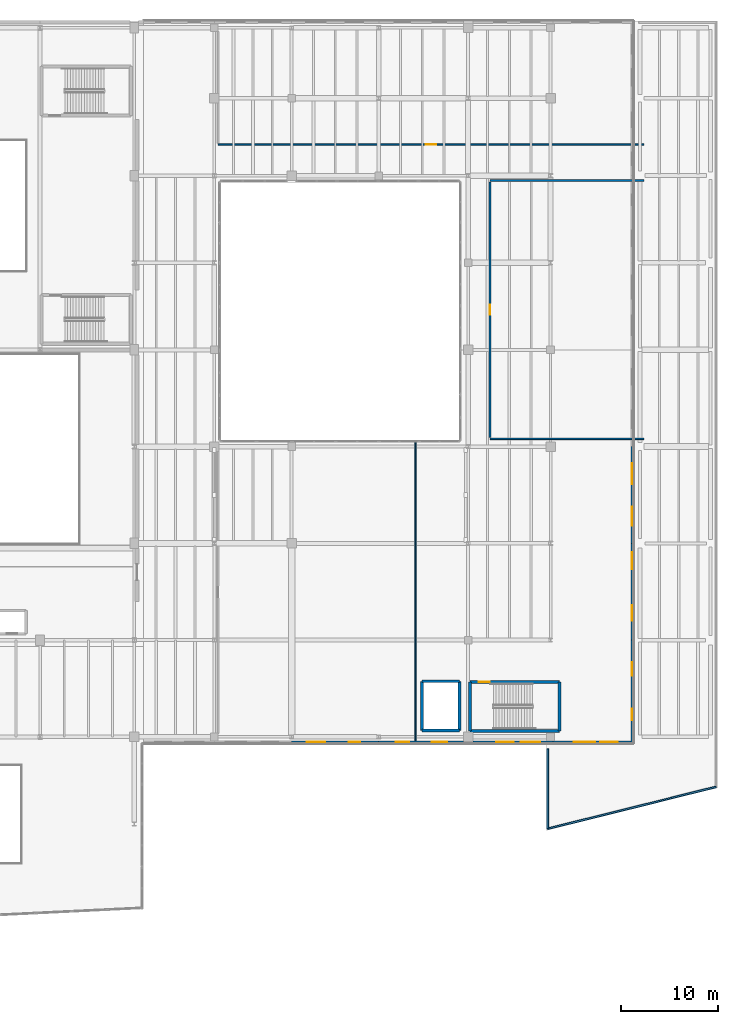
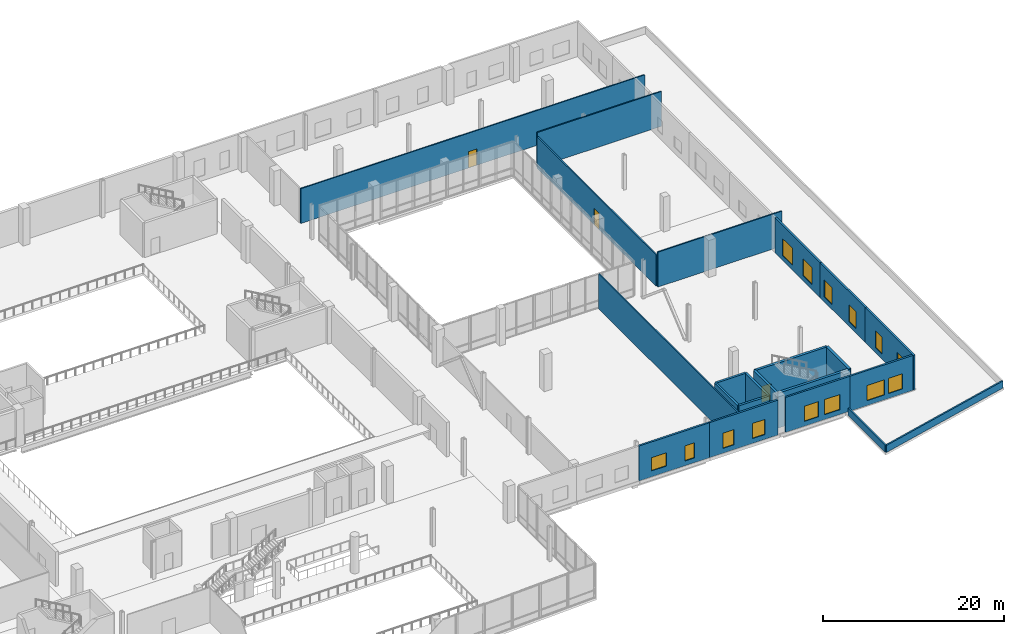
# One storey, part 59 of 73: 22 walls, 14 windows, 3 doors, 17 openings.
"""IFC4 building model written with IfcOpenShell, lengths in metres."""

from ifc_helpers import new_model, si_unit, direction, frame, frame_2d, origin, place, context, subcontext, project, spatial, rectangle, extrude, material, layer, layer_set, type_object, element, fill, save


model = new_model("IFC4")

# Units and contexts
model_context = context("Model", 3, precision=1e-05, world=origin(), true_north=direction((0.0, 1.0)))
body_context = subcontext(model_context, "Body", "Model", "MODEL_VIEW")
ifc_project = project(units=[si_unit("LENGTHUNIT", "METRE"), si_unit("AREAUNIT", "SQUARE_METRE"), si_unit("VOLUMEUNIT", "CUBIC_METRE"), si_unit("PLANEANGLEUNIT", "RADIAN"), si_unit("MASSUNIT", "GRAM", prefix="KILO")], contexts=[model_context])

# Site, building, storey
site_placement = place(None, origin())
site = spatial("IfcSite", under=ifc_project, at=site_placement, CompositionType="ELEMENT")
building_placement = place(site_placement, origin())
building = spatial("IfcBuilding", under=site, at=building_placement, Name="Trimount Lyric Opera House", CompositionType="ELEMENT")
storey_placement = place(building_placement, frame((0.0, 0.0, 10.0)))
storey = spatial("IfcBuildingStorey", under=building, at=storey_placement, Name="L02", CompositionType="ELEMENT", Elevation=10.0)

# Walls
ifc_material_1 = material(Name="Precast concrete C40/50", Category="concrete")
ifc_layer_1 = layer(ifc_material_1, 0.18994140625)
ifc_layer_set_1 = layer_set([ifc_layer_1], Name="WL-PA190")
wall_type_1 = type_object("IfcWallType", Name="WL-PA190", PredefinedType="PARAPET", material=ifc_layer_set_1)
wall_1_placement = place(storey_placement, frame((173.860107421875, 38.829345703125, 0.0), z_axis=(0.0, 0.0, 1.0), x_axis=(-0.970400645531, -0.241500698037, 0.0)))
element("IfcWall", 1, at=wall_1_placement, inside=storey, type_object=wall_type_1, Name="L02 roof parapet 007", PredefinedType="PARAPET", context=body_context, shape_type="SweptSolid", body=[
    extrude(rectangle(XDim=17.930908203125, YDim=0.18994140625, at=frame_2d((8.96533203125, 0.0))), origin(), (0.0, 0.0, 1.0), 0.949951171875),
])
wall_2_placement = place(storey_placement, frame((156.4599609375, 34.4990234375, 0.0), z_axis=(0.0, 0.0, 1.0), x_axis=(0.0, 1.0, 0.0)))
element("IfcWall", 2, at=wall_2_placement, inside=storey, type_object=wall_type_1, Name="L02 roof parapet 008", PredefinedType="PARAPET", context=body_context, shape_type="SweptSolid", body=[
    extrude(rectangle(XDim=8.27099609375, YDim=0.18994140625, at=frame_2d((4.135498046875, 0.0))), origin(), (0.0, 0.0, 1.0), 0.949951171875),
])
ifc_material_2 = material(Name="Fire-Rated Gypsum Board Partition")
ifc_layer_2 = layer(ifc_material_2, 0.14990234375)
ifc_layer_set_2 = layer_set([ifc_layer_2], Name="WL-PT150")
wall_type_2 = type_object("IfcWallType", Name="WL-PT150", PredefinedType="PARTITIONING", material=ifc_layer_set_2)
wall_3_placement = place(storey_placement, frame((142.800048828125, 43.60009765625, 0.0), z_axis=(0.0, 0.0, 1.0), x_axis=(0.0, 1.0, 0.0)))
element("IfcWall", 3, at=wall_3_placement, inside=storey, type_object=wall_type_2, Name="L02 Costume Cutting & Draping Atelier E partition", PredefinedType="PARTITIONING", context=body_context, shape_type="SweptSolid", body=[
    extrude(rectangle(XDim=30.7998046875, YDim=0.14990234375, at=frame_2d((15.39990234375, 0.0))), origin(), (0.0, 0.0, 1.0), 4.719970703125),
])

# Wall, opening, door
wall_4_placement = place(storey_placement, frame((122.39990234375, 105.199951171875, 0.0), z_axis=(0.0, 0.0, 1.0), x_axis=(1.0, 0.0, 0.0)))
wall_4 = element("IfcWall", 4, at=wall_4_placement, inside=storey, type_object=wall_type_2, Name="L02 Wig, Make-Up & Millinery Studio S partition", PredefinedType="PARTITIONING", context=body_context, shape_type="SweptSolid", body=[
    extrude(rectangle(XDim=44.0, YDim=0.14990234375, at=frame_2d((22.0, 0.0))), origin(), (0.0, 0.0, 1.0), 4.7099609375),
])
opening_1_placement = place(wall_4_placement, frame((21.47509765625, 0.0, 0.0)))
opening_1 = element("IfcOpeningElement", 5, at=opening_1_placement, cuts=wall_4, Name="Opening DT-RM3", PredefinedType="OPENING", context=body_context, shape_type="SweptSolid", body=[
    extrude(rectangle(XDim=1.050048828125, YDim=2.199951171875, at=frame_2d((0.52490234375, 1.10009765625))), frame((0.0, 0.0849609375, 0.0), z_axis=(0.0, -1.0, 0.0), x_axis=(1.0, 0.0, 0.0)), (0.0, 0.0, 1.0), 0.169921875),
])
ifc_material_3 = material(Name="Solid Core White Oak")
door_type_1 = type_object("IfcDoorType", Name="DT-RM3", OperationType="NOTDEFINED", PredefinedType="DOOR", material=ifc_material_3)
door_1_placement = place(opening_1_placement, origin())
door_1 = element("IfcDoor", 6, at=door_1_placement, inside=storey, type_object=door_type_1, Name="D-219", OperationType="SINGLE_SWING_LEFT", OverallHeight=2.199951171875, OverallWidth=1.050048828125, PredefinedType="DOOR", context=body_context, shape_type="SweptSolid", body=[
    extrude(rectangle(XDim=1.050048828125, YDim=2.199951171875, at=frame_2d((0.52490234375, 1.10009765625))), frame((0.0, 0.02490234375, 0.0), z_axis=(0.0, -1.0, 0.0), x_axis=(1.0, 0.0, 0.0)), (0.0, 0.0, 1.0), 0.050048828125),
])
fill(opening_1, door_1)

# Walls
ifc_material_4 = material(Name="Acoustic Double-Stud Gypsum Board")
ifc_layer_3 = layer(ifc_material_4, 0.1650390625)
ifc_layer_set_3 = layer_set([ifc_layer_3], Name="WL-PT165")
wall_type_3 = type_object("IfcWallType", Name="WL-PT165", PredefinedType="PARTITIONING", material=ifc_layer_set_3)
wall_5_placement = place(storey_placement, frame((150.5, 74.800048828125, 0.0), z_axis=(0.0, 0.0, 1.0), x_axis=(1.0, 0.0, 0.0)))
element("IfcWall", 7, at=wall_5_placement, inside=storey, type_object=wall_type_3, Name="L02 Textile Dye & Millinery Vat Studio S partition", PredefinedType="PARTITIONING", context=body_context, shape_type="SweptSolid", body=[
    extrude(rectangle(XDim=15.89990234375, YDim=0.1650390625, at=frame_2d((7.949951171875, 0.0))), origin(), (0.0, 0.0, 1.0), 4.719970703125),
])
wall_6_placement = place(storey_placement, frame((166.39990234375, 101.5, 0.0), z_axis=(0.0, 0.0, 1.0), x_axis=(-1.0, 0.0, 0.0)))
element("IfcWall", 8, at=wall_6_placement, inside=storey, type_object=wall_type_3, Name="L02 Textile Dye & Millinery Vat Studio N partition", PredefinedType="PARTITIONING", context=body_context, shape_type="SweptSolid", body=[
    extrude(rectangle(XDim=15.89990234375, YDim=0.1650390625, at=frame_2d((7.949951171875, 0.0))), origin(), (0.0, 0.0, 1.0), 4.7099609375),
])

# Wall, opening, door
wall_7_placement = place(storey_placement, frame((150.5, 101.3349609375, 0.0), z_axis=(0.0, 0.0, 1.0), x_axis=(0.0, -1.0, 0.0)))
wall_7 = element("IfcWall", 9, at=wall_7_placement, inside=storey, type_object=wall_type_3, Name="L02 Textile Dye & Millinery Vat Studio W partition", PredefinedType="PARTITIONING", context=body_context, shape_type="SweptSolid", body=[
    extrude(rectangle(XDim=26.369873046875, YDim=0.1650390625, at=frame_2d((13.18505859375, 0.0))), origin(), (0.0, 0.0, 1.0), 4.242919921875),
])
opening_2_placement = place(wall_7_placement, frame((12.659912109375, 0.0, 0.0)))
opening_2 = element("IfcOpeningElement", 10, at=opening_2_placement, cuts=wall_7, Name="Opening DT-RM3", PredefinedType="OPENING", context=body_context, shape_type="SweptSolid", body=[
    extrude(rectangle(XDim=1.050048828125, YDim=2.199951171875, at=frame_2d((0.52490234375, 1.10009765625))), frame((0.0, 0.092529296875, 0.0), z_axis=(0.0, -1.0, 0.0), x_axis=(1.0, 0.0, 0.0)), (0.0, 0.0, 1.0), 0.18505859375),
])
door_2_placement = place(opening_2_placement, origin())
door_2 = element("IfcDoor", 11, at=door_2_placement, inside=storey, type_object=door_type_1, Name="D-217", OperationType="SINGLE_SWING_LEFT", OverallHeight=2.199951171875, OverallWidth=1.050048828125, PredefinedType="DOOR", context=body_context, shape_type="SweptSolid", body=[
    extrude(rectangle(XDim=1.050048828125, YDim=2.199951171875, at=frame_2d((0.52490234375, 1.10009765625))), frame((0.0, 0.02490234375, 0.0), z_axis=(0.0, -1.0, 0.0), x_axis=(1.0, 0.0, 0.0)), (0.0, 0.0, 1.0), 0.050048828125),
])
fill(opening_2, door_2)

# Walls
ifc_material_5 = material(Name="Concrete C40/50", Category="concrete")
ifc_layer_4 = layer(ifc_material_5, 0.280029296875)
ifc_layer_set_4 = layer_set([ifc_layer_4], Name="WL-SH280")
wall_type_4 = type_object("IfcWallType", Name="WL-SH280", PredefinedType="SHEAR", material=ifc_layer_set_4)
for number, where, z_axis, x_axis, name in (
    (12, (143.4599609375, 44.659912109375, 0.0), (0.0, 0.0, 1.0), (1.0, 0.0, 0.0), "Lift LF-07 L02 south shaft wall"),
    (13, (147.340087890625, 49.739990234375, 0.0), (0.0, 0.0, 1.0), (-1.0, 0.0, 0.0), "Lift LF-07 L02 north shaft wall"),
):
    element("IfcWall", number, at=place(storey_placement, frame(where, z_axis=z_axis, x_axis=x_axis)), inside=storey, type_object=wall_type_4, Name=name, PredefinedType="SHEAR", context=body_context, shape_type="SweptSolid", body=[
        extrude(rectangle(XDim=3.880126953125, YDim=0.280029296875, at=frame_2d((1.93994140625, 0.0))), origin(), (0.0, 0.0, 1.0), 4.719970703125),
    ])
for number, where, z_axis, x_axis, name in (
    (14, (143.4599609375, 49.739990234375, 0.0), (0.0, 0.0, 1.0), (0.0, -1.0, 0.0), "Lift LF-07 L02 west shaft wall"),
    (15, (147.340087890625, 44.659912109375, 0.0), (0.0, 0.0, 1.0), (0.0, 1.0, 0.0), "Lift LF-07 L02 east shaft wall"),
):
    element("IfcWall", number, at=place(storey_placement, frame(where, z_axis=z_axis, x_axis=x_axis)), inside=storey, type_object=wall_type_4, Name=name, PredefinedType="SHEAR", context=body_context, shape_type="SweptSolid", body=[
        extrude(rectangle(XDim=5.080078125, YDim=0.280029296875, at=frame_2d((2.5400390625, 0.0))), origin(), (0.0, 0.0, 1.0), 4.719970703125),
    ])
ifc_material_6 = material(Name="Concrete C40/50", Category="concrete")
ifc_layer_5 = layer(ifc_material_6, 0.320068359375)
ifc_layer_set_5 = layer_set([ifc_layer_5], Name="WL-SH320")
wall_type_5 = type_object("IfcWallType", Name="WL-SH320", PredefinedType="SHEAR", material=ifc_layer_set_5)
wall_8_placement = place(storey_placement, frame((148.425048828125, 44.625, 0.0), z_axis=(0.0, 0.0, 1.0), x_axis=(1.0, 0.0, 0.0)))
element("IfcWall", 16, at=wall_8_placement, inside=storey, type_object=wall_type_5, Name="K5 L02 south shaft wall", PredefinedType="SHEAR", context=body_context, shape_type="SweptSolid", body=[
    extrude(rectangle(XDim=9.25, YDim=0.320068359375, at=frame_2d((4.625, 0.0))), origin(), (0.0, 0.0, 1.0), 4.719970703125),
])

# Wall, opening, door
wall_9_placement = place(storey_placement, frame((157.675048828125, 49.675048828125, 0.0), z_axis=(0.0, 0.0, 1.0), x_axis=(-1.0, 0.0, 0.0)))
wall_9 = element("IfcWall", 17, at=wall_9_placement, inside=storey, type_object=wall_type_5, Name="K5 L02 north shaft wall", PredefinedType="SHEAR", context=body_context, shape_type="SweptSolid", body=[
    extrude(rectangle(XDim=9.25, YDim=0.320068359375, at=frame_2d((4.625, 0.0))), origin(), (0.0, 0.0, 1.0), 4.719970703125),
])
opening_3_placement = place(wall_9_placement, frame((7.199951171875, 0.0, 0.0)))
opening_3 = element("IfcOpeningElement", 18, at=opening_3_placement, cuts=wall_9, Name="Opening DT-ST1", PredefinedType="OPENING", context=body_context, shape_type="SweptSolid", body=[
    extrude(rectangle(XDim=1.14990234375, YDim=2.199951171875, at=frame_2d((0.574951171875, 1.10009765625))), frame((0.0, 0.169921875, 0.0), z_axis=(0.0, -1.0, 0.0), x_axis=(1.0, 0.0, 0.0)), (0.0, 0.0, 1.0), 0.340087890625),
])
ifc_material_7 = material(Name="Fire-Rated Hollow Steel", Category="steel")
door_type_2 = type_object("IfcDoorType", Name="DT-ST1", OperationType="NOTDEFINED", PredefinedType="DOOR", material=ifc_material_7)
door_3_placement = place(opening_3_placement, origin())
door_3 = element("IfcDoor", 19, at=door_3_placement, inside=storey, type_object=door_type_2, Name="D-042", OperationType="SINGLE_SWING_RIGHT", OverallHeight=2.199951171875, OverallWidth=1.14990234375, PredefinedType="DOOR", context=body_context, shape_type="SweptSolid", body=[
    extrude(rectangle(XDim=1.14990234375, YDim=2.199951171875, at=frame_2d((0.574951171875, 1.10009765625))), frame((0.0, 0.02490234375, 0.0), z_axis=(0.0, -1.0, 0.0), x_axis=(1.0, 0.0, 0.0)), (0.0, 0.0, 1.0), 0.050048828125),
])
fill(opening_3, door_3)

# Walls
for number, where, z_axis, x_axis, name in (
    (20, (148.425048828125, 49.675048828125, 0.0), (0.0, 0.0, 1.0), (0.0, -1.0, 0.0), "K5 L02 west shaft wall"),
    (21, (157.675048828125, 44.625, 0.0), (0.0, 0.0, 1.0), (0.0, 1.0, 0.0), "K5 L02 east shaft wall"),
):
    element("IfcWall", number, at=place(storey_placement, frame(where, z_axis=z_axis, x_axis=x_axis)), inside=storey, type_object=wall_type_5, Name=name, PredefinedType="SHEAR", context=body_context, shape_type="SweptSolid", body=[
        extrude(rectangle(XDim=5.050048828125, YDim=0.320068359375, at=frame_2d((2.52490234375, 0.0))), origin(), (0.0, 0.0, 1.0), 4.719970703125),
    ])

# Wall, openings, windows
ifc_material_8 = material(Name="Concrete C35/45", Category="concrete")
ifc_layer_6 = layer(ifc_material_8, 0.239990234375)
ifc_layer_set_6 = layer_set([ifc_layer_6], Name="WL-SW240")
wall_type_6 = type_object("IfcWallType", Name="WL-SW240", PredefinedType="SOLIDWALL", material=ifc_layer_set_6)
wall_10_placement = place(storey_placement, frame((165.179931640625, 74.0, 0.0), z_axis=(0.0, 0.0, 1.0), x_axis=(0.0, -1.0, 0.0)))
wall_10 = element("IfcWall", 22, at=wall_10_placement, inside=storey, type_object=wall_type_6, Name="L02 exterior facade wall 227", PredefinedType="SOLIDWALL", context=body_context, shape_type="SweptSolid", body=[
    extrude(rectangle(XDim=10.0, YDim=0.239990234375, at=frame_2d((5.0, 0.0))), origin(), (0.0, 0.0, 1.0), 4.719970703125),
])
opening_4_placement = place(wall_10_placement, frame((1.699951171875, 0.0, 0.64990234375)))
opening_4 = element("IfcOpeningElement", 23, at=opening_4_placement, cuts=wall_10, Name="Opening WT-02", PredefinedType="OPENING", context=body_context, shape_type="SweptSolid", body=[
    extrude(rectangle(XDim=2.199951171875, YDim=2.300048828125, at=frame_2d((1.10009765625, 1.14990234375))), frame((0.0, 0.1298828125, 0.0), z_axis=(0.0, -1.0, 0.0), x_axis=(1.0, 0.0, 0.0)), (0.0, 0.0, 1.0), 0.260009765625),
])
opening_5_placement = place(wall_10_placement, frame((6.199951171875, 0.0, 0.64990234375)))
opening_5 = element("IfcOpeningElement", 24, at=opening_5_placement, cuts=wall_10, Name="Opening WT-03", PredefinedType="OPENING", context=body_context, shape_type="SweptSolid", body=[
    extrude(rectangle(XDim=2.0, YDim=2.300048828125, at=frame_2d((1.0, 1.14990234375))), frame((0.0, 0.1298828125, 0.0), z_axis=(0.0, -1.0, 0.0), x_axis=(1.0, 0.0, 0.0)), (0.0, 0.0, 1.0), 0.260009765625),
])
ifc_material_9 = material(Name="Triple Acoustic Glazing in Aluminium Frame", Category="aluminium")
window_type_1 = type_object("IfcWindowType", Name="WT-02", PartitioningType="DOUBLE_PANEL_VERTICAL", PredefinedType="WINDOW", material=ifc_material_9)
window_1_placement = place(opening_4_placement, origin())
window_1 = element("IfcWindow", 25, at=window_1_placement, inside=storey, type_object=window_type_1, Name="Window WT-02-0184", OverallHeight=2.300048828125, OverallWidth=2.199951171875, PartitioningType="SINGLE_PANEL", PredefinedType="WINDOW", context=body_context, shape_type="SweptSolid", body=[
    extrude(rectangle(XDim=2.199951171875, YDim=2.300048828125, at=frame_2d((1.10009765625, 1.14990234375))), frame((0.0, 0.030029296875, 0.0), z_axis=(0.0, -1.0, 0.0), x_axis=(1.0, 0.0, 0.0)), (0.0, 0.0, 1.0), 0.06005859375),
])
fill(opening_4, window_1)
ifc_material_10 = material(Name="Triple Acoustic Glazing in Aluminium Frame", Category="aluminium")
window_type_2 = type_object("IfcWindowType", Name="WT-03", PartitioningType="DOUBLE_PANEL_VERTICAL", PredefinedType="WINDOW", material=ifc_material_10)
window_2_placement = place(opening_5_placement, origin())
window_2 = element("IfcWindow", 26, at=window_2_placement, inside=storey, type_object=window_type_2, Name="Window WT-03-0185", OverallHeight=2.300048828125, OverallWidth=2.0, PartitioningType="SINGLE_PANEL", PredefinedType="WINDOW", context=body_context, shape_type="SweptSolid", body=[
    extrude(rectangle(XDim=2.0, YDim=2.300048828125, at=frame_2d((1.0, 1.14990234375))), frame((0.0, 0.030029296875, 0.0), z_axis=(0.0, -1.0, 0.0), x_axis=(1.0, 0.0, 0.0)), (0.0, 0.0, 1.0), 0.06005859375),
])
fill(opening_5, window_2)

wall_11_placement = place(storey_placement, frame((165.179931640625, 64.0, 0.0), z_axis=(0.0, 0.0, 1.0), x_axis=(0.0, -1.0, 0.0)))
wall_11 = element("IfcWall", 27, at=wall_11_placement, inside=storey, type_object=wall_type_6, Name="L02 exterior facade wall 228", PredefinedType="SOLIDWALL", context=body_context, shape_type="SweptSolid", body=[
    extrude(rectangle(XDim=10.0, YDim=0.239990234375, at=frame_2d((5.0, 0.0))), origin(), (0.0, 0.0, 1.0), 4.719970703125),
])
opening_6_placement = place(wall_11_placement, frame((0.89990234375, 0.0, 0.64990234375)))
opening_6 = element("IfcOpeningElement", 28, at=opening_6_placement, cuts=wall_11, Name="Opening WT-04", PredefinedType="OPENING", context=body_context, shape_type="SweptSolid", body=[
    extrude(rectangle(XDim=1.800048828125, YDim=2.300048828125, at=frame_2d((0.89990234375, 1.14990234375))), frame((0.0, 0.1298828125, 0.0), z_axis=(0.0, -1.0, 0.0), x_axis=(1.0, 0.0, 0.0)), (0.0, 0.0, 1.0), 0.260009765625),
])
opening_7_placement = place(wall_11_placement, frame((6.39990234375, 0.0, 0.64990234375)))
opening_7 = element("IfcOpeningElement", 29, at=opening_7_placement, cuts=wall_11, Name="Opening WT-05", PredefinedType="OPENING", context=body_context, shape_type="SweptSolid", body=[
    extrude(rectangle(XDim=1.60009765625, YDim=2.300048828125, at=frame_2d((0.800048828125, 1.14990234375))), frame((0.0, 0.1298828125, 0.0), z_axis=(0.0, -1.0, 0.0), x_axis=(1.0, 0.0, 0.0)), (0.0, 0.0, 1.0), 0.260009765625),
])
ifc_material_11 = material(Name="Triple Acoustic Glazing in Aluminium Frame", Category="aluminium")
window_type_3 = type_object("IfcWindowType", Name="WT-04", PartitioningType="DOUBLE_PANEL_VERTICAL", PredefinedType="WINDOW", material=ifc_material_11)
window_3_placement = place(opening_6_placement, origin())
window_3 = element("IfcWindow", 30, at=window_3_placement, inside=storey, type_object=window_type_3, Name="Window WT-04-0186", OverallHeight=2.300048828125, OverallWidth=1.800048828125, PartitioningType="SINGLE_PANEL", PredefinedType="WINDOW", context=body_context, shape_type="SweptSolid", body=[
    extrude(rectangle(XDim=1.800048828125, YDim=2.300048828125, at=frame_2d((0.89990234375, 1.14990234375))), frame((0.0, 0.030029296875, 0.0), z_axis=(0.0, -1.0, 0.0), x_axis=(1.0, 0.0, 0.0)), (0.0, 0.0, 1.0), 0.06005859375),
])
fill(opening_6, window_3)
ifc_material_12 = material(Name="Triple Acoustic Glazing in Aluminium Frame", Category="aluminium")
window_type_4 = type_object("IfcWindowType", Name="WT-05", PartitioningType="SINGLE_PANEL", PredefinedType="WINDOW", material=ifc_material_12)
window_4_placement = place(opening_7_placement, origin())
window_4 = element("IfcWindow", 31, at=window_4_placement, inside=storey, type_object=window_type_4, Name="Window WT-05-0187", OverallHeight=2.300048828125, OverallWidth=1.60009765625, PartitioningType="SINGLE_PANEL", PredefinedType="WINDOW", context=body_context, shape_type="SweptSolid", body=[
    extrude(rectangle(XDim=1.60009765625, YDim=2.300048828125, at=frame_2d((0.800048828125, 1.14990234375))), frame((0.0, 0.030029296875, 0.0), z_axis=(0.0, -1.0, 0.0), x_axis=(1.0, 0.0, 0.0)), (0.0, 0.0, 1.0), 0.06005859375),
])
fill(opening_7, window_4)

wall_12_placement = place(storey_placement, frame((165.179931640625, 54.0, 0.0), z_axis=(0.0, 0.0, 1.0), x_axis=(0.0, -1.0, 0.0)))
wall_12 = element("IfcWall", 32, at=wall_12_placement, inside=storey, type_object=wall_type_6, Name="L02 exterior facade wall 229", PredefinedType="SOLIDWALL", context=body_context, shape_type="SweptSolid", body=[
    extrude(rectangle(XDim=10.679931640625, YDim=0.239990234375, at=frame_2d((5.33984375, 0.0))), origin(), (0.0, 0.0, 1.0), 4.719970703125),
])
opening_8_placement = place(wall_12_placement, frame((2.290283203125, 0.0, 0.64990234375)))
opening_8 = element("IfcOpeningElement", 33, at=opening_8_placement, cuts=wall_12, Name="Opening WT-06", PredefinedType="OPENING", context=body_context, shape_type="SweptSolid", body=[
    extrude(rectangle(XDim=1.39990234375, YDim=2.300048828125, at=frame_2d((0.699951171875, 1.14990234375))), frame((0.0, 0.1298828125, 0.0), z_axis=(0.0, -1.0, 0.0), x_axis=(1.0, 0.0, 0.0)), (0.0, 0.0, 1.0), 0.260009765625),
])
opening_9_placement = place(wall_12_placement, frame((7.089599609375, 0.0, 0.64990234375)))
opening_9 = element("IfcOpeningElement", 34, at=opening_9_placement, cuts=wall_12, Name="Opening WT-07", PredefinedType="OPENING", context=body_context, shape_type="SweptSolid", body=[
    extrude(rectangle(XDim=1.199951171875, YDim=2.300048828125, at=frame_2d((0.60009765625, 1.14990234375))), frame((0.0, 0.1298828125, 0.0), z_axis=(0.0, -1.0, 0.0), x_axis=(1.0, 0.0, 0.0)), (0.0, 0.0, 1.0), 0.260009765625),
])
ifc_material_13 = material(Name="Triple Acoustic Glazing in Aluminium Frame", Category="aluminium")
window_type_5 = type_object("IfcWindowType", Name="WT-06", PartitioningType="SINGLE_PANEL", PredefinedType="WINDOW", material=ifc_material_13)
window_5_placement = place(opening_8_placement, origin())
window_5 = element("IfcWindow", 35, at=window_5_placement, inside=storey, type_object=window_type_5, Name="Window WT-06-0188", OverallHeight=2.300048828125, OverallWidth=1.39990234375, PartitioningType="SINGLE_PANEL", PredefinedType="WINDOW", context=body_context, shape_type="SweptSolid", body=[
    extrude(rectangle(XDim=1.39990234375, YDim=2.300048828125, at=frame_2d((0.699951171875, 1.14990234375))), frame((0.0, 0.030029296875, 0.0), z_axis=(0.0, -1.0, 0.0), x_axis=(1.0, 0.0, 0.0)), (0.0, 0.0, 1.0), 0.06005859375),
])
fill(opening_8, window_5)
ifc_material_14 = material(Name="Triple Acoustic Glazing in Aluminium Frame", Category="aluminium")
window_type_6 = type_object("IfcWindowType", Name="WT-07", PartitioningType="SINGLE_PANEL", PredefinedType="WINDOW", material=ifc_material_14)
window_6_placement = place(opening_9_placement, origin())
window_6 = element("IfcWindow", 36, at=window_6_placement, inside=storey, type_object=window_type_6, Name="Window WT-07-0189", OverallHeight=2.300048828125, OverallWidth=1.199951171875, PartitioningType="SINGLE_PANEL", PredefinedType="WINDOW", context=body_context, shape_type="SweptSolid", body=[
    extrude(rectangle(XDim=1.199951171875, YDim=2.300048828125, at=frame_2d((0.60009765625, 1.14990234375))), frame((0.0, 0.030029296875, 0.0), z_axis=(0.0, -1.0, 0.0), x_axis=(1.0, 0.0, 0.0)), (0.0, 0.0, 1.0), 0.06005859375),
])
fill(opening_9, window_6)

wall_13_placement = place(storey_placement, frame((165.054931640625, 43.4599609375, 0.0), z_axis=(0.0, 0.0, 1.0), x_axis=(-1.0, 0.0, 0.0)))
wall_13 = element("IfcWall", 37, at=wall_13_placement, inside=storey, type_object=wall_type_6, Name="L02 exterior facade wall 230", PredefinedType="SOLIDWALL", context=body_context, shape_type="SweptSolid", body=[
    extrude(rectangle(XDim=8.054931640625, YDim=0.239990234375, at=frame_2d((4.02734375, 0.0))), origin(), (0.0, 0.0, 1.0), 4.719970703125),
])
opening_10_placement = place(wall_13_placement, frame((1.35546875, 0.0, 0.64990234375)))
opening_10 = element("IfcOpeningElement", 38, at=opening_10_placement, cuts=wall_13, Name="Opening WT-11", PredefinedType="OPENING", context=body_context, shape_type="SweptSolid", body=[
    extrude(rectangle(XDim=1.800048828125, YDim=2.050048828125, at=frame_2d((0.89990234375, 1.02490234375))), frame((0.0, 0.1298828125, 0.0), z_axis=(0.0, -1.0, 0.0), x_axis=(1.0, 0.0, 0.0)), (0.0, 0.0, 1.0), 0.260009765625),
])
opening_11_placement = place(wall_13_placement, frame((3.69970703125, 0.0, 0.64990234375)))
opening_11 = element("IfcOpeningElement", 39, at=opening_11_placement, cuts=wall_13, Name="Opening WT-09", PredefinedType="OPENING", context=body_context, shape_type="SweptSolid", body=[
    extrude(rectangle(XDim=2.199951171875, YDim=2.050048828125, at=frame_2d((1.10009765625, 1.02490234375))), frame((0.0, 0.1298828125, 0.0), z_axis=(0.0, -1.0, 0.0), x_axis=(1.0, 0.0, 0.0)), (0.0, 0.0, 1.0), 0.260009765625),
])
ifc_material_15 = material(Name="Low-E Insulated Glazing in Bronze Frame", Category="glass")
window_type_7 = type_object("IfcWindowType", Name="WT-09", PartitioningType="DOUBLE_PANEL_VERTICAL", PredefinedType="WINDOW", material=ifc_material_15)
window_7_placement = place(opening_11_placement, origin())
window_7 = element("IfcWindow", 40, at=window_7_placement, inside=storey, type_object=window_type_7, Name="Window WT-09-0191", OverallHeight=2.050048828125, OverallWidth=2.199951171875, PartitioningType="SINGLE_PANEL", PredefinedType="WINDOW", context=body_context, shape_type="SweptSolid", body=[
    extrude(rectangle(XDim=2.199951171875, YDim=2.050048828125, at=frame_2d((1.10009765625, 1.02490234375))), frame((0.0, 0.030029296875, 0.0), z_axis=(0.0, -1.0, 0.0), x_axis=(1.0, 0.0, 0.0)), (0.0, 0.0, 1.0), 0.06005859375),
])
fill(opening_11, window_7)
ifc_material_16 = material(Name="Low-E Insulated Glazing in Bronze Frame", Category="glass")
window_type_8 = type_object("IfcWindowType", Name="WT-11", PartitioningType="DOUBLE_PANEL_VERTICAL", PredefinedType="WINDOW", material=ifc_material_16)
window_8_placement = place(opening_10_placement, origin())
window_8 = element("IfcWindow", 41, at=window_8_placement, inside=storey, type_object=window_type_8, Name="Window WT-11-0190", OverallHeight=2.050048828125, OverallWidth=1.800048828125, PartitioningType="SINGLE_PANEL", PredefinedType="WINDOW", context=body_context, shape_type="SweptSolid", body=[
    extrude(rectangle(XDim=1.800048828125, YDim=2.050048828125, at=frame_2d((0.89990234375, 1.02490234375))), frame((0.0, 0.030029296875, 0.0), z_axis=(0.0, -1.0, 0.0), x_axis=(1.0, 0.0, 0.0)), (0.0, 0.0, 1.0), 0.06005859375),
])
fill(opening_10, window_8)

wall_14_placement = place(storey_placement, frame((157.0, 43.4599609375, 0.0), z_axis=(0.0, 0.0, 1.0), x_axis=(-1.0, 0.0, 0.0)))
wall_14 = element("IfcWall", 42, at=wall_14_placement, inside=storey, type_object=wall_type_6, Name="L02 exterior facade wall 231", PredefinedType="SOLIDWALL", context=body_context, shape_type="SweptSolid", body=[
    extrude(rectangle(XDim=8.260009765625, YDim=0.239990234375, at=frame_2d((4.1298828125, 0.0))), origin(), (0.0, 0.0, 1.0), 4.719970703125),
])
opening_12_placement = place(wall_14_placement, frame((1.312744140625, 0.0, 0.64990234375)))
opening_12 = element("IfcOpeningElement", 43, at=opening_12_placement, cuts=wall_14, Name="Opening WT-10", PredefinedType="OPENING", context=body_context, shape_type="SweptSolid", body=[
    extrude(rectangle(XDim=2.0, YDim=2.050048828125, at=frame_2d((1.0, 1.02490234375))), frame((0.0, 0.1298828125, 0.0), z_axis=(0.0, -1.0, 0.0), x_axis=(1.0, 0.0, 0.0)), (0.0, 0.0, 1.0), 0.260009765625),
])
opening_13_placement = place(wall_14_placement, frame((4.047119140625, 0.0, 0.64990234375)))
opening_13 = element("IfcOpeningElement", 44, at=opening_13_placement, cuts=wall_14, Name="Opening WT-11", PredefinedType="OPENING", context=body_context, shape_type="SweptSolid", body=[
    extrude(rectangle(XDim=1.800048828125, YDim=2.050048828125, at=frame_2d((0.89990234375, 1.02490234375))), frame((0.0, 0.1298828125, 0.0), z_axis=(0.0, -1.0, 0.0), x_axis=(1.0, 0.0, 0.0)), (0.0, 0.0, 1.0), 0.260009765625),
])
ifc_material_17 = material(Name="Low-E Insulated Glazing in Bronze Frame", Category="glass")
window_type_9 = type_object("IfcWindowType", Name="WT-10", PartitioningType="DOUBLE_PANEL_VERTICAL", PredefinedType="WINDOW", material=ifc_material_17)
window_9_placement = place(opening_12_placement, origin())
window_9 = element("IfcWindow", 45, at=window_9_placement, inside=storey, type_object=window_type_9, Name="Window WT-10-0192", OverallHeight=2.050048828125, OverallWidth=2.0, PartitioningType="SINGLE_PANEL", PredefinedType="WINDOW", context=body_context, shape_type="SweptSolid", body=[
    extrude(rectangle(XDim=2.0, YDim=2.050048828125, at=frame_2d((1.0, 1.02490234375))), frame((0.0, 0.030029296875, 0.0), z_axis=(0.0, -1.0, 0.0), x_axis=(1.0, 0.0, 0.0)), (0.0, 0.0, 1.0), 0.06005859375),
])
fill(opening_12, window_9)
window_10_placement = place(opening_13_placement, origin())
window_10 = element("IfcWindow", 46, at=window_10_placement, inside=storey, type_object=window_type_8, Name="Window WT-11-0193", OverallHeight=2.050048828125, OverallWidth=1.800048828125, PartitioningType="SINGLE_PANEL", PredefinedType="WINDOW", context=body_context, shape_type="SweptSolid", body=[
    extrude(rectangle(XDim=1.800048828125, YDim=2.050048828125, at=frame_2d((0.89990234375, 1.02490234375))), frame((0.0, 0.030029296875, 0.0), z_axis=(0.0, -1.0, 0.0), x_axis=(1.0, 0.0, 0.0)), (0.0, 0.0, 1.0), 0.06005859375),
])
fill(opening_13, window_10)

wall_15_placement = place(storey_placement, frame((147.739990234375, 43.4599609375, 0.0), z_axis=(0.0, 0.0, 1.0), x_axis=(-1.0, 0.0, 0.0)))
wall_15 = element("IfcWall", 47, at=wall_15_placement, inside=storey, type_object=wall_type_6, Name="L02 exterior facade wall 232", PredefinedType="SOLIDWALL", context=body_context, shape_type="SweptSolid", body=[
    extrude(rectangle(XDim=8.739990234375, YDim=0.239990234375, at=frame_2d((4.3701171875, 0.0))), origin(), (0.0, 0.0, 1.0), 4.719970703125),
])
opening_14_placement = place(wall_15_placement, frame((1.647216796875, 0.0, 0.64990234375)))
opening_14 = element("IfcOpeningElement", 48, at=opening_14_placement, cuts=wall_15, Name="Opening WT-12", PredefinedType="OPENING", context=body_context, shape_type="SweptSolid", body=[
    extrude(rectangle(XDim=1.60009765625, YDim=2.050048828125, at=frame_2d((0.800048828125, 1.02490234375))), frame((0.0, 0.1298828125, 0.0), z_axis=(0.0, -1.0, 0.0), x_axis=(1.0, 0.0, 0.0)), (0.0, 0.0, 1.0), 0.260009765625),
])
opening_15_placement = place(wall_15_placement, frame((5.5927734375, 0.0, 0.64990234375)))
opening_15 = element("IfcOpeningElement", 49, at=opening_15_placement, cuts=wall_15, Name="Opening WT-13", PredefinedType="OPENING", context=body_context, shape_type="SweptSolid", body=[
    extrude(rectangle(XDim=1.39990234375, YDim=2.050048828125, at=frame_2d((0.699951171875, 1.02490234375))), frame((0.0, 0.1298828125, 0.0), z_axis=(0.0, -1.0, 0.0), x_axis=(1.0, 0.0, 0.0)), (0.0, 0.0, 1.0), 0.260009765625),
])
ifc_material_18 = material(Name="Low-E Insulated Glazing in Bronze Frame", Category="glass")
window_type_10 = type_object("IfcWindowType", Name="WT-12", PartitioningType="SINGLE_PANEL", PredefinedType="WINDOW", material=ifc_material_18)
window_11_placement = place(opening_14_placement, origin())
window_11 = element("IfcWindow", 50, at=window_11_placement, inside=storey, type_object=window_type_10, Name="Window WT-12-0194", OverallHeight=2.050048828125, OverallWidth=1.60009765625, PartitioningType="SINGLE_PANEL", PredefinedType="WINDOW", context=body_context, shape_type="SweptSolid", body=[
    extrude(rectangle(XDim=1.60009765625, YDim=2.050048828125, at=frame_2d((0.800048828125, 1.02490234375))), frame((0.0, 0.030029296875, 0.0), z_axis=(0.0, -1.0, 0.0), x_axis=(1.0, 0.0, 0.0)), (0.0, 0.0, 1.0), 0.06005859375),
])
fill(opening_14, window_11)
ifc_material_19 = material(Name="Low-E Insulated Glazing in Bronze Frame", Category="glass")
window_type_11 = type_object("IfcWindowType", Name="WT-13", PartitioningType="SINGLE_PANEL", PredefinedType="WINDOW", material=ifc_material_19)
window_12_placement = place(opening_15_placement, origin())
window_12 = element("IfcWindow", 51, at=window_12_placement, inside=storey, type_object=window_type_11, Name="Window WT-13-0195", OverallHeight=2.050048828125, OverallWidth=1.39990234375, PartitioningType="SINGLE_PANEL", PredefinedType="WINDOW", context=body_context, shape_type="SweptSolid", body=[
    extrude(rectangle(XDim=1.39990234375, YDim=2.050048828125, at=frame_2d((0.699951171875, 1.02490234375))), frame((0.0, 0.030029296875, 0.0), z_axis=(0.0, -1.0, 0.0), x_axis=(1.0, 0.0, 0.0)), (0.0, 0.0, 1.0), 0.06005859375),
])
fill(opening_15, window_12)

wall_16_placement = place(storey_placement, frame((139.0, 43.4599609375, 0.0), z_axis=(0.0, 0.0, 1.0), x_axis=(-1.0, 0.0, 0.0)))
wall_16 = element("IfcWall", 52, at=wall_16_placement, inside=storey, type_object=wall_type_6, Name="L02 exterior facade wall 233", PredefinedType="SOLIDWALL", context=body_context, shape_type="SweptSolid", body=[
    extrude(rectangle(XDim=9.0, YDim=0.239990234375, at=frame_2d((4.5, 0.0))), origin(), (0.0, 0.0, 1.0), 4.719970703125),
])
opening_16_placement = place(wall_16_placement, frame((1.919921875, 0.0, 0.64990234375)))
opening_16 = element("IfcOpeningElement", 53, at=opening_16_placement, cuts=wall_16, Name="Opening WT-14", PredefinedType="OPENING", context=body_context, shape_type="SweptSolid", body=[
    extrude(rectangle(XDim=1.199951171875, YDim=2.050048828125, at=frame_2d((0.60009765625, 1.02490234375))), frame((0.0, 0.1298828125, 0.0), z_axis=(0.0, -1.0, 0.0), x_axis=(1.0, 0.0, 0.0)), (0.0, 0.0, 1.0), 0.260009765625),
])
opening_17_placement = place(wall_16_placement, frame((5.530029296875, 0.0, 0.800048828125)))
opening_17 = element("IfcOpeningElement", 54, at=opening_17_placement, cuts=wall_16, Name="Opening WT-18", PredefinedType="OPENING", context=body_context, shape_type="SweptSolid", body=[
    extrude(rectangle(XDim=1.89990234375, YDim=1.800048828125, at=frame_2d((0.949951171875, 0.89990234375))), frame((0.0, 0.1298828125, 0.0), z_axis=(0.0, -1.0, 0.0), x_axis=(1.0, 0.0, 0.0)), (0.0, 0.0, 1.0), 0.260009765625),
])
ifc_material_20 = material(Name="Low-E Insulated Glazing in Bronze Frame", Category="glass")
window_type_12 = type_object("IfcWindowType", Name="WT-14", PartitioningType="SINGLE_PANEL", PredefinedType="WINDOW", material=ifc_material_20)
window_13_placement = place(opening_16_placement, origin())
window_13 = element("IfcWindow", 55, at=window_13_placement, inside=storey, type_object=window_type_12, Name="Window WT-14-0196", OverallHeight=2.050048828125, OverallWidth=1.199951171875, PartitioningType="SINGLE_PANEL", PredefinedType="WINDOW", context=body_context, shape_type="SweptSolid", body=[
    extrude(rectangle(XDim=1.199951171875, YDim=2.050048828125, at=frame_2d((0.60009765625, 1.02490234375))), frame((0.0, 0.030029296875, 0.0), z_axis=(0.0, -1.0, 0.0), x_axis=(1.0, 0.0, 0.0)), (0.0, 0.0, 1.0), 0.06005859375),
])
fill(opening_16, window_13)
ifc_material_21 = material(Name="Dressing Suite Acoustic Window")
window_type_13 = type_object("IfcWindowType", Name="WT-18", PartitioningType="DOUBLE_PANEL_VERTICAL", PredefinedType="WINDOW", material=ifc_material_21)
window_14_placement = place(opening_17_placement, origin())
window_14 = element("IfcWindow", 56, at=window_14_placement, inside=storey, type_object=window_type_13, Name="Window WT-18-0197", OverallHeight=1.800048828125, OverallWidth=1.89990234375, PartitioningType="SINGLE_PANEL", PredefinedType="WINDOW", context=body_context, shape_type="SweptSolid", body=[
    extrude(rectangle(XDim=1.89990234375, YDim=1.800048828125, at=frame_2d((0.949951171875, 0.89990234375))), frame((0.0, 0.030029296875, 0.0), z_axis=(0.0, -1.0, 0.0), x_axis=(1.0, 0.0, 0.0)), (0.0, 0.0, 1.0), 0.06005859375),
])
fill(opening_17, window_14)

save(model, "model.ifc")
